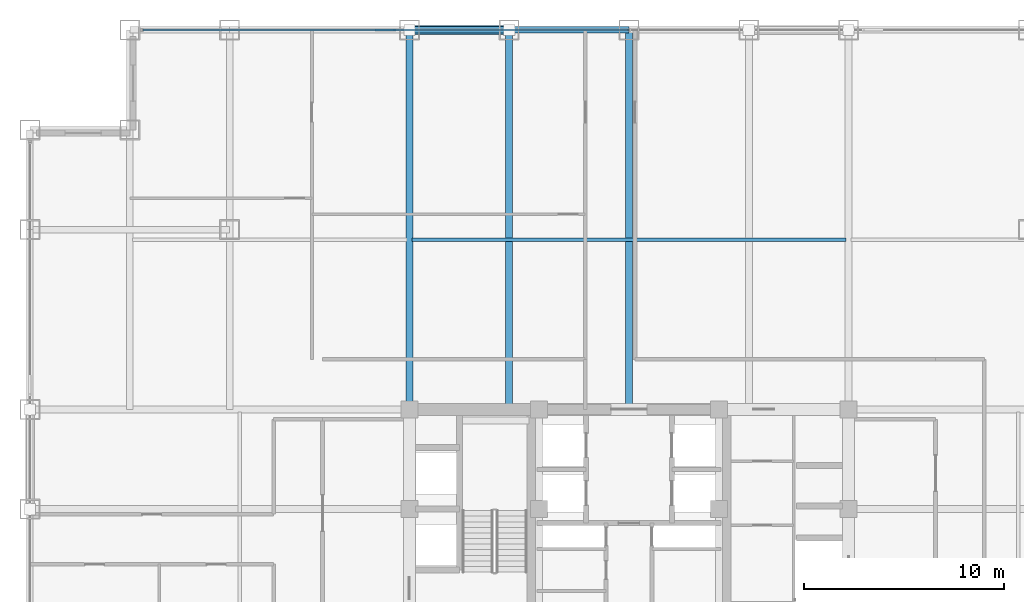
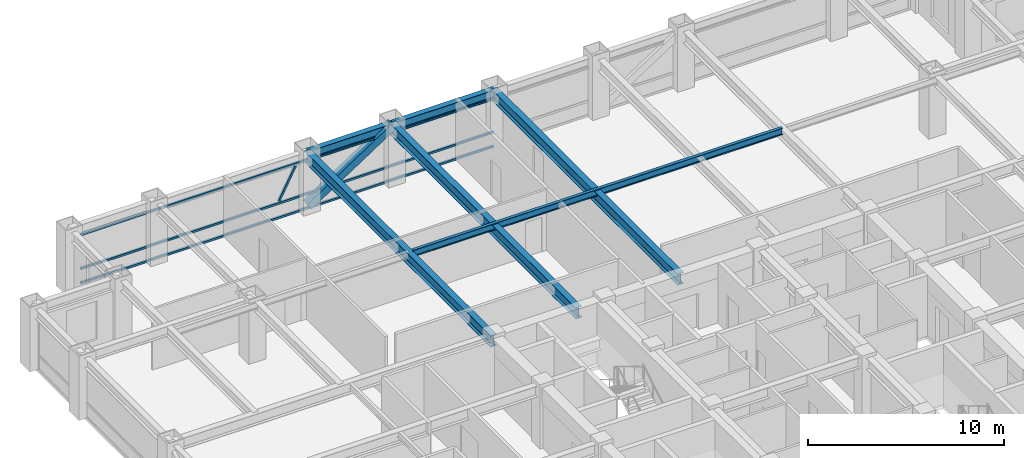
# One storey, part 15 of 24: 6 beams, 5 members, 1 element without a shape of its own.
"""IFC4 building model written with IfcOpenShell, lengths in metres."""

from ifc_helpers import new_model, si_unit, direction, frame, origin, origin_2d, place, context, subcontext, project, spatial, hollow_rectangle, i_section, extrude, source, transform, mapped, material, material_profile, profile_set, type_object, element, aggregate, save


model = new_model("IFC4")

# Units and contexts
model_context = context("Model", 3, precision=1e-05, world=origin(), true_north=direction((0.0, 1.0)))
body_context = subcontext(model_context, "Body", "Model", "MODEL_VIEW")
ifc_project = project(units=[si_unit("LENGTHUNIT", "METRE"), si_unit("AREAUNIT", "SQUARE_METRE"), si_unit("VOLUMEUNIT", "CUBIC_METRE"), si_unit("PLANEANGLEUNIT", "RADIAN"), si_unit("MASSUNIT", "GRAM", prefix="KILO")], contexts=[model_context])

# Site, building, storey
site_placement = place(None, origin())
site = spatial("IfcSite", under=ifc_project, at=site_placement, CompositionType="ELEMENT")
building_placement = place(site_placement, origin())
building = spatial("IfcBuilding", under=site, at=building_placement, Name="Khorayat Bourse Tower", CompositionType="ELEMENT")
storey_placement = place(building_placement, frame((0.0, 0.0, 259.10009765625)))
storey = spatial("IfcBuildingStorey", under=building, at=storey_placement, Name="L61", CompositionType="ELEMENT", Elevation=259.10009765625)

# Beams
ifc_material_1 = material(Name="Steel ASTM A992 Grade 50", Category="steel")
ifc_material_profile_1 = material_profile(ifc_material_1, i_section(OverallWidth=0.180908203125, OverallDepth=0.4169921875, WebThickness=0.010986328125, FlangeThickness=0.018310546875, FilletRadius=0.011962890625, at=origin_2d()), Name="W410X85")
ifc_profile_set_1 = profile_set([ifc_material_profile_1], Name="Steel ASTM A992 Grade 50")
beam_type_1 = type_object("IfcBeamType", Name="BM-JOIST-410", PredefinedType="JOIST", material=ifc_profile_set_1)
shared_shape_1 = source(origin(), body_context, "Body", "SweptSolid", [
    extrude(i_section(OverallWidth=0.180908203125, OverallDepth=0.4169921875, WebThickness=0.010986328125, FlangeThickness=0.018310546875, FilletRadius=0.011962890625, at=origin_2d()), origin(), (0.0, 0.0, 1.0), 21.740234375),
])
beam_1_placement = place(storey_placement, frame((-10.8701171875, 19.5, 3.5712890625), z_axis=(1.0, 0.0, 0.0), x_axis=(0.0, 1.0, 0.0)))
element("IfcBeam", 1, at=beam_1_placement, inside=storey, type_object=beam_type_1, Name="L61 BM-JOIST-410 BM-L61-JSTX-100", PredefinedType="JOIST", context=body_context, shape_type="MappedRepresentation", body=[
    mapped(shared_shape_1, transform((0.0, 0.0, 0.0), scale=1.0)),
])
ifc_material_profile_2 = material_profile(ifc_material_1, i_section(OverallWidth=0.324951171875, OverallDepth=0.615966796875, WebThickness=0.013916015625, FlangeThickness=0.021484375, FilletRadius=0.01611328125, at=origin_2d()), Name="W610X174")
ifc_profile_set_2 = profile_set([ifc_material_profile_2], Name="Steel ASTM A992 Grade 50")
beam_type_2 = type_object("IfcBeamType", Name="BM-SPAN-610", PredefinedType="SPANDREL", material=ifc_profile_set_2)
shared_shape_2 = source(origin(), body_context, "Body", "SweptSolid", [
    extrude(i_section(OverallWidth=0.324951171875, OverallDepth=0.615966796875, WebThickness=0.013916015625, FlangeThickness=0.021484375, FilletRadius=0.01611328125, at=origin_2d()), origin(), (0.0, 0.0, 1.0), 5.0),
])
beam_2_placement = place(storey_placement, frame((-11.0, 30.0, 3.351806640625), z_axis=(1.0, 0.0, 0.0), x_axis=(0.0, 1.0, 0.0)))
element("IfcBeam", 2, at=beam_2_placement, inside=storey, type_object=beam_type_2, Name="L61 BM-SPAN-610 BM-L61-SPN-049", PredefinedType="SPANDREL", context=body_context, shape_type="MappedRepresentation", body=[
    mapped(shared_shape_2, transform((0.0, 0.0, 0.0), scale=1.0)),
])
shared_shape_3 = source(origin(), body_context, "Body", "SweptSolid", [
    extrude(i_section(OverallWidth=0.324951171875, OverallDepth=0.615966796875, WebThickness=0.013916015625, FlangeThickness=0.021484375, FilletRadius=0.01611328125, at=origin_2d()), origin(), (0.0, 0.0, 1.0), 6.0),
])
beam_3_placement = place(storey_placement, frame((-6.0, 30.0, 3.351806640625), z_axis=(1.0, 0.0, 0.0), x_axis=(0.0, 1.0, 0.0)))
element("IfcBeam", 3, at=beam_3_placement, inside=storey, type_object=beam_type_2, Name="L61 BM-SPAN-610 BM-L61-SPN-048", PredefinedType="SPANDREL", context=body_context, shape_type="MappedRepresentation", body=[
    mapped(shared_shape_3, transform((0.0, 0.0, 0.0), scale=1.0)),
])
ifc_material_profile_3 = material_profile(ifc_material_1, i_section(OverallWidth=0.35498046875, OverallDepth=0.695068359375, WebThickness=0.015380859375, FlangeThickness=0.02490234375, FilletRadius=0.01806640625, at=origin_2d()), Name="W690X217")
ifc_profile_set_3 = profile_set([ifc_material_profile_3], Name="Steel ASTM A992 Grade 50")
beam_type_3 = type_object("IfcBeamType", Name="BM-GIRD-690", PredefinedType="BEAM", material=ifc_profile_set_3)
shared_shape_4 = source(origin(), body_context, "Body", "SweptSolid", [
    extrude(i_section(OverallWidth=0.35498046875, OverallDepth=0.695068359375, WebThickness=0.015380859375, FlangeThickness=0.02490234375, FilletRadius=0.01806640625, at=origin_2d()), origin(), (0.0, 0.0, 1.0), 19.0),
])
for number, where, z_axis, x_axis, name in (
    (4, (-11.0, 11.0, 3.3125), (0.0, 1.0, 0.0), (-1.0, 0.0, 0.0), "L61 BM-GIRD-690 BM-L61-RADY-064"),
    (5, (-6.0, 11.0, 3.3125), (0.0, 1.0, 0.0), (-1.0, 0.0, 0.0), "L61 BM-GIRD-690 BM-L61-RADY-066"),
    (6, (0.0, 11.0, 3.3125), (0.0, 1.0, 0.0), (-1.0, 0.0, 0.0), "L61 BM-GIRD-690 BM-L61-RADY-068"),
):
    element("IfcBeam", number, at=place(storey_placement, frame(where, z_axis=z_axis, x_axis=x_axis)), inside=storey, type_object=beam_type_3, Name=name, PredefinedType="BEAM", context=body_context, shape_type="MappedRepresentation", body=[
        mapped(shared_shape_4, transform((0.0, 0.0, 0.0), scale=1.0)),
    ])

# Member
ifc_material_2 = material(Name="Steel EN 10025-4 S460M", Category="steel")
ifc_material_profile_4 = material_profile(ifc_material_2, hollow_rectangle(XDim=0.449951171875, YDim=0.449951171875, WallThickness=0.02490234375, at=origin_2d()), Name="HSS 450x450x25")
ifc_profile_set_4 = profile_set([ifc_material_profile_4], Name="Steel EN 10025-4 S460M")
member_type_1 = type_object("IfcMemberType", Name="MBR-TUBE-450", PredefinedType="BRACE", material=ifc_profile_set_4)
shared_shape_5 = source(origin(), body_context, "Body", "SweptSolid", [
    extrude(hollow_rectangle(XDim=0.449951171875, YDim=0.449951171875, WallThickness=0.02490234375, at=origin_2d()), origin(), (0.0, 0.0, 1.0), 5.979736328125),
])
member_1_placement = place(storey_placement, frame((-11.0, 30.0, 0.25), z_axis=(0.836160261256, 0.0, 0.548485202623), x_axis=(0.0, 1.0, 0.0)))
element("IfcMember", 7, at=member_1_placement, inside=storey, type_object=member_type_1, Name="L61 Perimeter Tube Brace 03", PredefinedType="BRACE", context=body_context, shape_type="MappedRepresentation", body=[
    mapped(shared_shape_5, transform((0.0, 0.0, 0.0), scale=1.0)),
])

# Curtain wall, members
ifc_material_3 = material(Name="Aluminium EN AW-6063 T6", Category="aluminium")
curtain_wall_type = type_object("IfcCurtainWallType", Name="CW-SYS-03", PredefinedType="NOTDEFINED", material=ifc_material_3)
curtain_wall_placement = place(storey_placement, origin())
curtain_wall = element("IfcCurtainWall", 8, at=curtain_wall_placement, inside=storey, type_object=curtain_wall_type, Name="L61 Curtain Wall CW-L61-N1", PredefinedType="NOTDEFINED")
ifc_material_profile_5 = material_profile(ifc_material_3, hollow_rectangle(XDim=0.1201171875, YDim=0.1201171875, WallThickness=0.0048828125, at=origin_2d()), Name="ALU 120x120x5")
ifc_profile_set_5 = profile_set([ifc_material_profile_5], Name="Aluminium EN AW-6063 T6")
member_type_2 = type_object("IfcMemberType", Name="CWM-DIAG-120", PredefinedType="MULLION", material=ifc_profile_set_5)
shared_shape_6 = source(origin(), body_context, "Body", "SweptSolid", [
    extrude(hollow_rectangle(XDim=0.1201171875, YDim=0.1201171875, WallThickness=0.0048828125, at=origin_2d()), origin(), (0.0, 0.0, 1.0), 2.079345703125),
])
member_2_placement = place(storey_placement, frame((-12.67919921875, 30.0, 1.08984375), z_axis=(0.465760949701, 0.0, 0.884910581773), x_axis=(0.0, 1.0, 0.0)))
member_2 = element("IfcMember", 9, at=member_2_placement, type_object=member_type_2, Name="CW-L61-N1 Faceted Diagonal Mullion 1", PredefinedType="MULLION", context=body_context, shape_type="MappedRepresentation", body=[
    mapped(shared_shape_6, transform((0.0, 0.0, 0.0), scale=1.0)),
])
ifc_material_profile_6 = material_profile(ifc_material_3, hollow_rectangle(XDim=0.1201171875, YDim=0.1201171875, WallThickness=0.0048828125, at=origin_2d()), Name="ALU 120x120x5")
ifc_profile_set_6 = profile_set([ifc_material_profile_6], Name="Aluminium EN AW-6063 T6")
member_type_3 = type_object("IfcMemberType", Name="CWT-HORZ-120", PredefinedType="USERDEFINED", material=ifc_profile_set_6)
shared_shape_7 = source(origin(), body_context, "Body", "SweptSolid", [
    extrude(hollow_rectangle(XDim=0.1201171875, YDim=0.1201171875, WallThickness=0.0048828125, at=origin_2d()), origin(), (0.0, 0.0, 1.0), 24.27001953125),
])
member_3_placement = place(storey_placement, frame((-24.330078125, 30.0, 0.059814453125), z_axis=(1.0, 0.0, 0.0), x_axis=(0.0, 1.0, 0.0)))
member_3 = element("IfcMember", 10, at=member_3_placement, type_object=member_type_3, Name="CW-L61-N1 Horizontal Transom 1-1", ObjectType="TRANSOM", PredefinedType="USERDEFINED", context=body_context, shape_type="MappedRepresentation", body=[
    mapped(shared_shape_7, transform((0.0, 0.0, 0.0), scale=1.0)),
])
member_4_placement = place(storey_placement, frame((-24.330078125, 30.0, 0.949951171875), z_axis=(1.0, 0.0, 0.0), x_axis=(0.0, 1.0, 0.0)))
member_4 = element("IfcMember", 11, at=member_4_placement, type_object=member_type_3, Name="CW-L61-N1 Horizontal Transom 1-2", ObjectType="TRANSOM", PredefinedType="USERDEFINED", context=body_context, shape_type="MappedRepresentation", body=[
    mapped(shared_shape_7, transform((0.0, 0.0, 0.0), scale=1.0)),
])
member_5_placement = place(storey_placement, frame((-24.330078125, 30.0, 3.06982421875), z_axis=(1.0, 0.0, 0.0), x_axis=(0.0, 1.0, 0.0)))
member_5 = element("IfcMember", 12, at=member_5_placement, type_object=member_type_3, Name="CW-L61-N1 Horizontal Transom 1-3", ObjectType="TRANSOM", PredefinedType="USERDEFINED", context=body_context, shape_type="MappedRepresentation", body=[
    mapped(shared_shape_7, transform((0.0, 0.0, 0.0), scale=1.0)),
])
aggregate(curtain_wall, [member_3, member_4, member_5, member_2])

save(model, "model.ifc")
